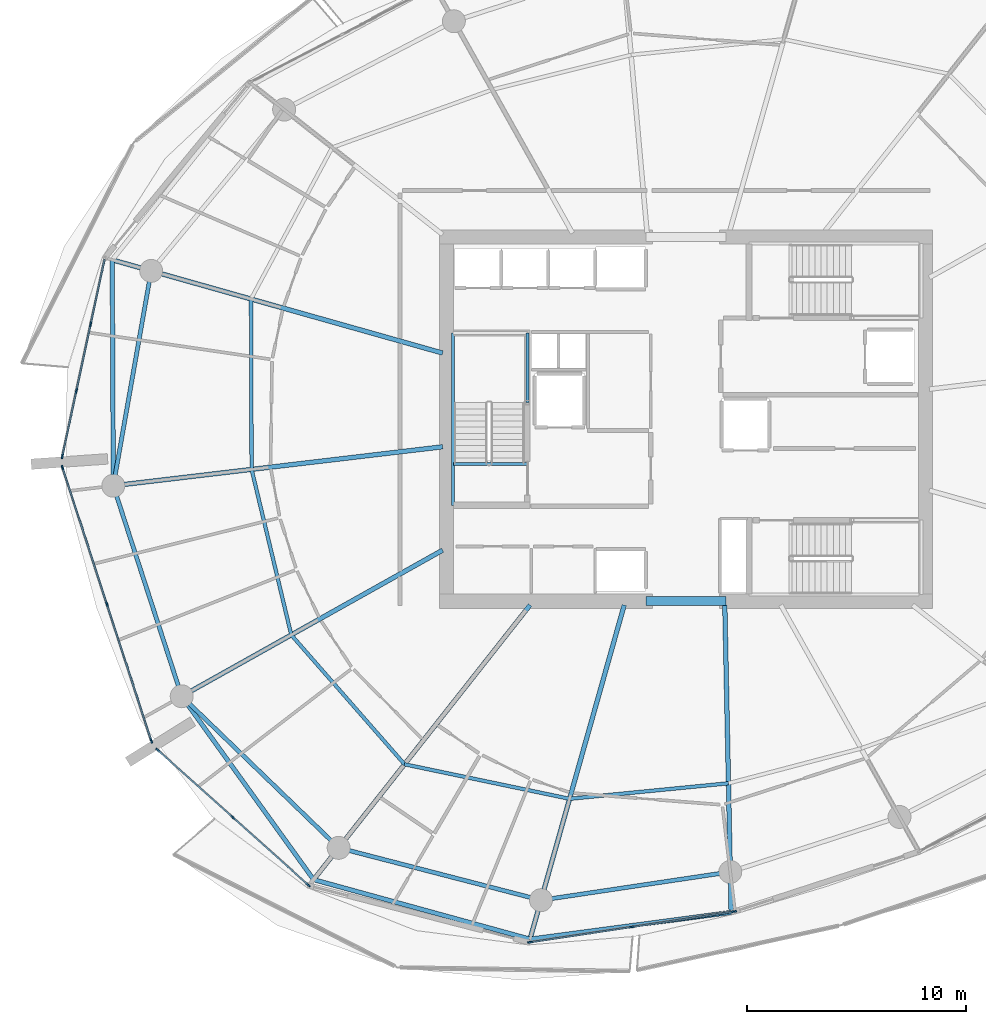
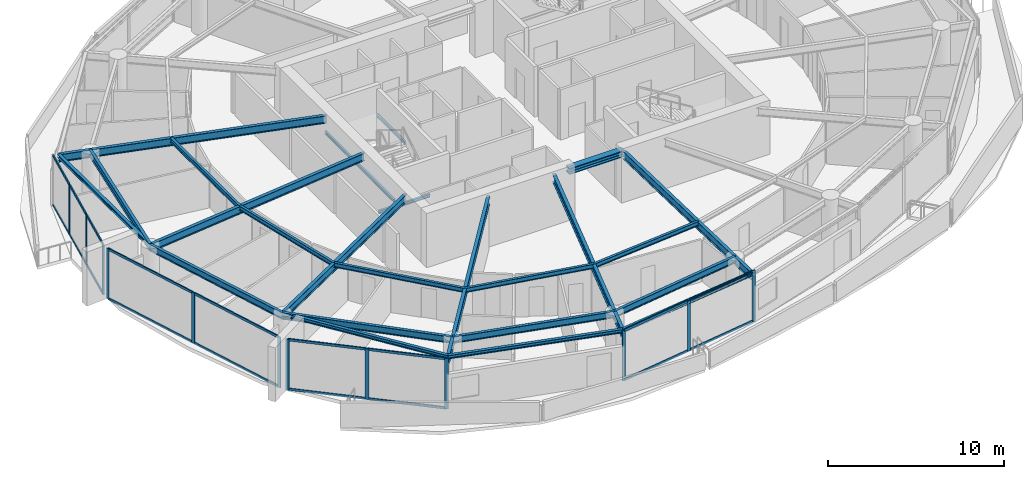
# One storey, part 5 of 20: 30 members, 24 beams, 4 elements without a shape of their own.
"""IFC4 building model written with IfcOpenShell, lengths in metres."""

from ifc_helpers import new_model, si_unit, direction, frame, origin, origin_2d, place, context, subcontext, project, spatial, rectangle, i_section, extrude, material, layer, layer_set, material_profile, profile_set, type_object, element, aggregate, save


model = new_model("IFC4")

# Units and contexts
model_context = context("Model", 3, precision=1e-05, world=origin(), true_north=direction((0.0, 1.0)))
body_context = subcontext(model_context, "Body", "Model", "MODEL_VIEW")
ifc_project = project(units=[si_unit("LENGTHUNIT", "METRE"), si_unit("AREAUNIT", "SQUARE_METRE"), si_unit("VOLUMEUNIT", "CUBIC_METRE"), si_unit("PLANEANGLEUNIT", "RADIAN"), si_unit("MASSUNIT", "GRAM", prefix="KILO")], contexts=[model_context])

# Site, building, storey
site_placement = place(None, origin())
site = spatial("IfcSite", under=ifc_project, at=site_placement, CompositionType="ELEMENT")
building_placement = place(site_placement, origin())
building = spatial("IfcBuilding", under=site, at=building_placement, Name="Kazma Halo Residences", CompositionType="ELEMENT")
storey_placement = place(building_placement, frame((0.0, 0.0, 217.800048828125)))
storey = spatial("IfcBuildingStorey", under=building, at=storey_placement, Name="L55", CompositionType="ELEMENT", Elevation=217.800048828125)

# Beams
ifc_material_1 = material(Name="Steel S355", Category="steel")
ifc_material_profile_1 = material_profile(ifc_material_1, i_section(OverallWidth=0.201904296875, OverallDepth=0.2470703125, WebThickness=0.00732421875, FlangeThickness=0.010986328125, FilletRadius=0.011962890625, at=origin_2d()), Name="W250x49.1")
ifc_profile_set_1 = profile_set([ifc_material_profile_1], Name="Steel S355")
beam_type_1 = type_object("IfcBeamType", Name="BM-BAL-CANT", PredefinedType="BEAM", material=ifc_profile_set_1)
for number, where, z_axis, x_axis, name in (
    (1, (22.19970703125, 49.276611328125, 3.37646484375), (0.004705663334, -0.999988928305, 0.0), (0.999988928305, 0.004705663334, 0.0), "L55 wave-balcony tie beam 07"),
    (2, (25.375, 29.329345703125, 3.37646484375), (0.583963922576, -0.811779611181, 0.0), (0.811779611181, 0.583963922576, 0.0), "L55 wave-balcony lead tie beam 09"),
):
    element("IfcBeam", number, at=place(storey_placement, frame(where, z_axis=z_axis, x_axis=x_axis)), inside=storey, type_object=beam_type_1, Name=name, PredefinedType="BEAM", context=body_context, shape_type="SweptSolid", body=[
        extrude(i_section(OverallWidth=0.201904296875, OverallDepth=0.2470703125, WebThickness=0.00732421875, FlangeThickness=0.010986328125, FilletRadius=0.011962890625, at=origin_2d()), origin(), (0.0, 0.0, 1.0), 10.324462890625),
    ])
beam_1_placement = place(storey_placement, frame((31.404052734375, 20.9482421875, 3.37646484375), z_axis=(0.964197026197, -0.265186905169, 0.0), x_axis=(0.265186905169, 0.964197026197, 0.0)))
element("IfcBeam", 3, at=beam_1_placement, inside=storey, type_object=beam_type_1, Name="L55 wave-balcony tie beam 10", PredefinedType="BEAM", context=body_context, shape_type="SweptSolid", body=[
    extrude(i_section(OverallWidth=0.201904296875, OverallDepth=0.2470703125, WebThickness=0.00732421875, FlangeThickness=0.010986328125, FilletRadius=0.011962890625, at=origin_2d()), origin(), (0.0, 0.0, 1.0), 10.258544921875),
])
beam_2_placement = place(storey_placement, frame((41.29541015625, 18.227783203125, 3.37646484375), z_axis=(0.99126671613, 0.131872277199, 0.0), x_axis=(-0.131872277199, 0.99126671613, 0.0)))
element("IfcBeam", 4, at=beam_2_placement, inside=storey, type_object=beam_type_1, Name="L55 wave-balcony tie beam 11", PredefinedType="BEAM", context=body_context, shape_type="SweptSolid", body=[
    extrude(i_section(OverallWidth=0.201904296875, OverallDepth=0.2470703125, WebThickness=0.00732421875, FlangeThickness=0.010986328125, FilletRadius=0.011962890625, at=origin_2d()), origin(), (0.0, 0.0, 1.0), 9.2734375),
])
ifc_material_profile_2 = material_profile(ifc_material_1, i_section(OverallWidth=0.408935546875, OverallDepth=0.425048828125, WebThickness=0.03271484375, FlangeThickness=0.052490234375, FilletRadius=0.02001953125, at=origin_2d()), Name="W360x421")
ifc_profile_set_2 = profile_set([ifc_material_profile_2], Name="Steel S355")
beam_type_2 = type_object("IfcBeamType", Name="BM-CORE-W360H", PredefinedType="BEAM", material=ifc_profile_set_2)
beam_3_placement = place(storey_placement, frame((46.60009765625, 33.675048828125, 3.287353515625), z_axis=(1.0, 0.0, 0.0), x_axis=(0.0, 1.0, 0.0)))
element("IfcBeam", 5, at=beam_3_placement, inside=storey, type_object=beam_type_2, Name="L55 core coupling beam S", PredefinedType="BEAM", context=body_context, shape_type="SweptSolid", body=[
    extrude(i_section(OverallWidth=0.408935546875, OverallDepth=0.425048828125, WebThickness=0.03271484375, FlangeThickness=0.052490234375, FilletRadius=0.02001953125, at=origin_2d()), origin(), (0.0, 0.0, 1.0), 3.64990234375),
])
ifc_material_profile_3 = material_profile(ifc_material_1, i_section(OverallWidth=0.208984375, OverallDepth=0.532958984375, WebThickness=0.01025390625, FlangeThickness=0.015625, FilletRadius=0.01611328125, at=origin_2d()), Name="W530x92")
ifc_profile_set_3 = profile_set([ifc_material_profile_3], Name="Steel S355")
beam_type_3 = type_object("IfcBeamType", Name="BM-RAD-W530", PredefinedType="BEAM", material=ifc_profile_set_3)
beam_4_placement = place(storey_placement, frame((37.300048828125, 45.017578125, 3.2333984375), z_axis=(-0.962450301448, 0.271457947467, 0.0), x_axis=(-0.271457947467, -0.962450301448, 0.0)))
element("IfcBeam", 6, at=beam_4_placement, inside=storey, type_object=beam_type_3, Name="L55 radial floor beam 07", PredefinedType="BEAM", context=body_context, shape_type="SweptSolid", body=[
    extrude(i_section(OverallWidth=0.208984375, OverallDepth=0.532958984375, WebThickness=0.01025390625, FlangeThickness=0.015625, FilletRadius=0.01611328125, at=origin_2d()), origin(), (0.0, 0.0, 1.0), 15.689453125),
])
beam_5_placement = place(storey_placement, frame((37.300048828125, 40.733642578125, 3.2333984375), z_axis=(-0.993068447674, -0.117537475875, 0.0), x_axis=(0.117537475875, -0.993068447674, 0.0)))
element("IfcBeam", 7, at=beam_5_placement, inside=storey, type_object=beam_type_3, Name="L55 radial floor beam 08", PredefinedType="BEAM", context=body_context, shape_type="SweptSolid", body=[
    extrude(i_section(OverallWidth=0.208984375, OverallDepth=0.532958984375, WebThickness=0.01025390625, FlangeThickness=0.015625, FilletRadius=0.01611328125, at=origin_2d()), origin(), (0.0, 0.0, 1.0), 15.15673828125),
])
beam_6_placement = place(storey_placement, frame((37.300048828125, 36.0078125, 3.2333984375), z_axis=(-0.872492308718, -0.488627845327, 0.0), x_axis=(0.488627845327, -0.872492308718, 0.0)))
element("IfcBeam", 8, at=beam_6_placement, inside=storey, type_object=beam_type_3, Name="L55 radial floor beam 09", PredefinedType="BEAM", context=body_context, shape_type="SweptSolid", body=[
    extrude(i_section(OverallWidth=0.208984375, OverallDepth=0.532958984375, WebThickness=0.01025390625, FlangeThickness=0.015625, FilletRadius=0.01611328125, at=origin_2d()), origin(), (0.0, 0.0, 1.0), 13.667724609375),
])
beam_7_placement = place(storey_placement, frame((41.299072265625, 33.5, 3.2333984375), z_axis=(-0.61909439419, -0.785316580165, 0.0), x_axis=(0.785316580165, -0.61909439419, 0.0)))
element("IfcBeam", 9, at=beam_7_placement, inside=storey, type_object=beam_type_3, Name="L55 radial floor beam 10", PredefinedType="BEAM", context=body_context, shape_type="SweptSolid", body=[
    extrude(i_section(OverallWidth=0.208984375, OverallDepth=0.532958984375, WebThickness=0.01025390625, FlangeThickness=0.015625, FilletRadius=0.01611328125, at=origin_2d()), origin(), (0.0, 0.0, 1.0), 15.983154296875),
])
beam_8_placement = place(storey_placement, frame((45.602783203125, 33.5, 3.2333984375), z_axis=(-0.271449932859, -0.962452561922, 0.0), x_axis=(0.962452561922, -0.271449932859, 0.0)))
element("IfcBeam", 10, at=beam_8_placement, inside=storey, type_object=beam_type_3, Name="L55 radial floor beam 11", PredefinedType="BEAM", context=body_context, shape_type="SweptSolid", body=[
    extrude(i_section(OverallWidth=0.208984375, OverallDepth=0.532958984375, WebThickness=0.01025390625, FlangeThickness=0.015625, FilletRadius=0.01611328125, at=origin_2d()), origin(), (0.0, 0.0, 1.0), 15.867919921875),
])
beam_9_placement = place(storey_placement, frame((50.199951171875, 33.5, 3.2333984375), z_axis=(0.020483658838, -0.99979018785, 0.0), x_axis=(0.99979018785, 0.020483658838, 0.0)))
element("IfcBeam", 11, at=beam_9_placement, inside=storey, type_object=beam_type_3, Name="L55 radial floor beam 12", PredefinedType="BEAM", context=body_context, shape_type="SweptSolid", body=[
    extrude(i_section(OverallWidth=0.208984375, OverallDepth=0.532958984375, WebThickness=0.01025390625, FlangeThickness=0.015625, FilletRadius=0.01611328125, at=origin_2d()), origin(), (0.0, 0.0, 1.0), 14.05224609375),
])
ifc_material_profile_4 = material_profile(ifc_material_1, i_section(OverallWidth=0.1650390625, OverallDepth=0.31005859375, WebThickness=0.005859375, FlangeThickness=0.009765625, FilletRadius=0.011962890625, at=origin_2d()), Name="W310x38.7")
ifc_profile_set_4 = profile_set([ifc_material_profile_4], Name="Steel S355")
beam_type_4 = type_object("IfcBeamType", Name="BM-SEC-W310B", PredefinedType="JOIST", material=ifc_profile_set_4)
beam_10_placement = place(storey_placement, frame((28.5419921875, 47.48779296875, 3.344970703125), z_axis=(0.003605218278, -0.999993501179, 0.0), x_axis=(0.999993501179, 0.003605218278, 0.0)))
element("IfcBeam", 12, at=beam_10_placement, inside=storey, type_object=beam_type_4, Name="L55 circumferential floor joist 07", PredefinedType="JOIST", context=body_context, shape_type="SweptSolid", body=[
    extrude(i_section(OverallWidth=0.1650390625, OverallDepth=0.31005859375, WebThickness=0.005859375, FlangeThickness=0.009765625, FilletRadius=0.011962890625, at=origin_2d()), origin(), (0.0, 0.0, 1.0), 7.78759765625),
])
beam_11_placement = place(storey_placement, frame((28.570068359375, 39.7001953125, 3.344970703125), z_axis=(0.233058429286, -0.972462733753, 0.0), x_axis=(0.972462733753, 0.233058429286, 0.0)))
element("IfcBeam", 13, at=beam_11_placement, inside=storey, type_object=beam_type_4, Name="L55 circumferential floor joist 08", PredefinedType="JOIST", context=body_context, shape_type="SweptSolid", body=[
    extrude(i_section(OverallWidth=0.1650390625, OverallDepth=0.31005859375, WebThickness=0.005859375, FlangeThickness=0.009765625, FilletRadius=0.011962890625, at=origin_2d()), origin(), (0.0, 0.0, 1.0), 7.7802734375),
])
beam_12_placement = place(storey_placement, frame((30.38330078125, 32.13427734375, 3.344970703125), z_axis=(0.658629944618, -0.75246700662, 0.0), x_axis=(0.75246700662, 0.658629944618, 0.0)))
element("IfcBeam", 14, at=beam_12_placement, inside=storey, type_object=beam_type_4, Name="L55 circumferential floor joist 09", PredefinedType="JOIST", context=body_context, shape_type="SweptSolid", body=[
    extrude(i_section(OverallWidth=0.1650390625, OverallDepth=0.31005859375, WebThickness=0.005859375, FlangeThickness=0.009765625, FilletRadius=0.011962890625, at=origin_2d()), origin(), (0.0, 0.0, 1.0), 7.85986328125),
])
beam_13_placement = place(storey_placement, frame((35.56005859375, 26.219970703125, 3.344970703125), z_axis=(0.978821484976, -0.204715657802, 0.0), x_axis=(0.204715657802, 0.978821484976, 0.0)))
element("IfcBeam", 15, at=beam_13_placement, inside=storey, type_object=beam_type_4, Name="L55 circumferential floor joist 10", PredefinedType="JOIST", context=body_context, shape_type="SweptSolid", body=[
    extrude(i_section(OverallWidth=0.1650390625, OverallDepth=0.31005859375, WebThickness=0.005859375, FlangeThickness=0.009765625, FilletRadius=0.011962890625, at=origin_2d()), origin(), (0.0, 0.0, 1.0), 7.707763671875),
])
beam_14_placement = place(storey_placement, frame((43.1044921875, 24.64208984375, 3.344970703125), z_axis=(0.995262165401, 0.097227681872, 0.0), x_axis=(-0.097227681872, 0.995262165401, 0.0)))
element("IfcBeam", 16, at=beam_14_placement, inside=storey, type_object=beam_type_4, Name="L55 circumferential floor joist 11", PredefinedType="JOIST", context=body_context, shape_type="SweptSolid", body=[
    extrude(i_section(OverallWidth=0.1650390625, OverallDepth=0.31005859375, WebThickness=0.005859375, FlangeThickness=0.009765625, FilletRadius=0.011962890625, at=origin_2d()), origin(), (0.0, 0.0, 1.0), 7.297119140625),
])
ifc_material_profile_5 = material_profile(ifc_material_1, i_section(OverallWidth=0.18994140625, OverallDepth=0.45703125, WebThickness=0.009033203125, FlangeThickness=0.014404296875, FilletRadius=0.01611328125, at=origin_2d()), Name="W460x74")
ifc_profile_set_5 = profile_set([ifc_material_profile_5], Name="Steel S355")
beam_type_5 = type_object("IfcBeamType", Name="BM-SPN-W460", PredefinedType="BEAM", material=ifc_profile_set_5)
beam_15_placement = place(storey_placement, frame((23.980224609375, 48.7744140625, 3.271484375), z_axis=(-0.173648484202, -0.984807698962, 0.0), x_axis=(0.984807698962, -0.173648484202, 0.0)))
element("IfcBeam", 17, at=beam_15_placement, inside=storey, type_object=beam_type_5, Name="L55 perimeter ring beam 07", PredefinedType="BEAM", context=body_context, shape_type="SweptSolid", body=[
    extrude(i_section(OverallWidth=0.18994140625, OverallDepth=0.45703125, WebThickness=0.009033203125, FlangeThickness=0.014404296875, FilletRadius=0.01611328125, at=origin_2d()), origin(), (0.0, 0.0, 1.0), 9.973876953125),
])
beam_16_placement = place(storey_placement, frame((22.248291015625, 38.9521484375, 3.271484375), z_axis=(0.309023327426, -0.951054458539, 0.0), x_axis=(0.951054458539, 0.309023327426, 0.0)))
element("IfcBeam", 18, at=beam_16_placement, inside=storey, type_object=beam_type_5, Name="L55 perimeter ring beam 08", PredefinedType="BEAM", context=body_context, shape_type="SweptSolid", body=[
    extrude(i_section(OverallWidth=0.18994140625, OverallDepth=0.45703125, WebThickness=0.009033203125, FlangeThickness=0.014404296875, FilletRadius=0.01611328125, at=origin_2d()), origin(), (0.0, 0.0, 1.0), 10.117919921875),
])
beam_17_placement = place(storey_placement, frame((25.375, 29.329345703125, 3.271484375), z_axis=(0.71933650181, -0.694661786169, 0.0), x_axis=(0.694661786169, 0.71933650181, 0.0)))
element("IfcBeam", 19, at=beam_17_placement, inside=storey, type_object=beam_type_5, Name="L55 perimeter ring beam 09", PredefinedType="BEAM", context=body_context, shape_type="SweptSolid", body=[
    extrude(i_section(OverallWidth=0.18994140625, OverallDepth=0.45703125, WebThickness=0.009033203125, FlangeThickness=0.014404296875, FilletRadius=0.01611328125, at=origin_2d()), origin(), (0.0, 0.0, 1.0), 9.9736328125),
])
beam_18_placement = place(storey_placement, frame((32.54931640625, 22.401123046875, 3.271484375), z_axis=(0.968120950739, -0.25048318255, 0.0), x_axis=(0.25048318255, 0.968120950739, 0.0)))
element("IfcBeam", 20, at=beam_18_placement, inside=storey, type_object=beam_type_5, Name="L55 perimeter ring beam 10", PredefinedType="BEAM", context=body_context, shape_type="SweptSolid", body=[
    extrude(i_section(OverallWidth=0.18994140625, OverallDepth=0.45703125, WebThickness=0.009033203125, FlangeThickness=0.014404296875, FilletRadius=0.01611328125, at=origin_2d()), origin(), (0.0, 0.0, 1.0), 9.552734375),
])
beam_19_placement = place(storey_placement, frame((41.797607421875, 20.00830078125, 3.271484375), z_axis=(0.98903439143, 0.147685383732, 0.0), x_axis=(-0.147685383732, 0.98903439143, 0.0)))
element("IfcBeam", 21, at=beam_19_placement, inside=storey, type_object=beam_type_5, Name="L55 perimeter ring beam 11", PredefinedType="BEAM", context=body_context, shape_type="SweptSolid", body=[
    extrude(i_section(OverallWidth=0.18994140625, OverallDepth=0.45703125, WebThickness=0.009033203125, FlangeThickness=0.014404296875, FilletRadius=0.01611328125, at=origin_2d()), origin(), (0.0, 0.0, 1.0), 8.748291015625),
])
ifc_material_profile_6 = material_profile(ifc_material_1, i_section(OverallWidth=0.133056640625, OverallDepth=0.20703125, WebThickness=0.005859375, FlangeThickness=0.00830078125, FilletRadius=0.010009765625, at=origin_2d()), Name="W200x26.6")
ifc_profile_set_6 = profile_set([ifc_material_profile_6], Name="Steel S355")
beam_type_6 = type_object("IfcBeamType", Name="BM-TRIM-W200", PredefinedType="BEAM", material=ifc_profile_set_6)
beam_20_placement = place(storey_placement, frame((37.800048828125, 39.949951171875, -0.360107421875), z_axis=(1.0, 0.0, 0.0), x_axis=(0.0, 1.0, 0.0)))
element("IfcBeam", 22, at=beam_20_placement, inside=storey, type_object=beam_type_6, Name="L55 ST-01 floor landing support beam", PredefinedType="BEAM", context=body_context, shape_type="SweptSolid", body=[
    extrude(i_section(OverallWidth=0.133056640625, OverallDepth=0.20703125, WebThickness=0.005859375, FlangeThickness=0.00830078125, FilletRadius=0.010009765625, at=origin_2d()), origin(), (0.0, 0.0, 1.0), 3.3798828125),
])
beam_21_placement = place(storey_placement, frame((37.780029296875, 38.06005859375, 1.570068359375), z_axis=(0.0, 1.0, 0.0), x_axis=(-1.0, 0.0, 0.0)))
element("IfcBeam", 23, at=beam_21_placement, inside=storey, type_object=beam_type_6, Name="L55 ST-01 landing west wall ledger", PredefinedType="BEAM", context=body_context, shape_type="SweptSolid", body=[
    extrude(i_section(OverallWidth=0.133056640625, OverallDepth=0.20703125, WebThickness=0.005859375, FlangeThickness=0.00830078125, FilletRadius=0.010009765625, at=origin_2d()), origin(), (0.0, 0.0, 1.0), 7.8798828125),
])
beam_22_placement = place(storey_placement, frame((41.179931640625, 42.75, 1.570068359375), z_axis=(0.0, 1.0, 0.0), x_axis=(-1.0, 0.0, 0.0)))
element("IfcBeam", 24, at=beam_22_placement, inside=storey, type_object=beam_type_6, Name="L55 ST-01 landing east wall ledger", PredefinedType="BEAM", context=body_context, shape_type="SweptSolid", body=[
    extrude(i_section(OverallWidth=0.133056640625, OverallDepth=0.20703125, WebThickness=0.005859375, FlangeThickness=0.00830078125, FilletRadius=0.010009765625, at=origin_2d()), origin(), (0.0, 0.0, 1.0), 3.18994140625),
])

# Curtain wall, members
ifc_material_2 = material(Name="Aluminium AW-6063 T6 and Triple-Silver Low-E Glass", Category="aluminium")
ifc_layer = layer(ifc_material_2, 0.219970703125)
ifc_layer_set = layer_set([ifc_layer], Name="Aluminium AW-6063 T6 and Triple-Silver Low-E Glass")
curtain_wall_type = type_object("IfcCurtainWallType", Name="CW-SYS-4", PredefinedType="NOTDEFINED", material=ifc_layer_set)
curtain_wall_1_placement = place(storey_placement, origin())
curtain_wall_1 = element("IfcCurtainWall", 25, at=curtain_wall_1_placement, inside=storey, type_object=curtain_wall_type, Name="L55 unitised curtain wall B07", PredefinedType="NOTDEFINED")
ifc_material_3 = material(Name="Aluminium AW-6063 T6", Category="aluminium")
ifc_material_profile_7 = material_profile(ifc_material_3, rectangle(XDim=0.074951171875, YDim=0.219970703125, at=origin_2d()), Name="CWM-75x220")
ifc_profile_set_7 = profile_set([ifc_material_profile_7], Name="Aluminium AW-6063 T6")
member_type_1 = type_object("IfcMemberType", Name="CW-SYS-4-MUL", PredefinedType="MULLION", material=ifc_profile_set_7)
member_1_placement = place(storey_placement, frame((21.212890625, 46.3330078125, 0.0), z_axis=(0.0, 0.0, 1.0), x_axis=(0.977768017212, -0.209689543175, 0.0)))
member_1 = element("IfcMember", 26, at=member_1_placement, type_object=member_type_1, Name="CWS-4 mullion 2", PredefinedType="MULLION", context=body_context, shape_type="SweptSolid", body=[
    extrude(rectangle(XDim=0.074951171875, YDim=0.219970703125, at=origin_2d()), origin(), (0.0, 0.0, 1.0), 3.5),
])
member_2_placement = place(storey_placement, frame((20.561279296875, 43.295166015625, 0.0), z_axis=(0.0, 0.0, 1.0), x_axis=(0.977768017212, -0.209689543175, 0.0)))
member_2 = element("IfcMember", 27, at=member_2_placement, type_object=member_type_1, Name="CWS-4 mullion 3", PredefinedType="MULLION", context=body_context, shape_type="SweptSolid", body=[
    extrude(rectangle(XDim=0.074951171875, YDim=0.219970703125, at=origin_2d()), origin(), (0.0, 0.0, 1.0), 3.5),
])
member_3_placement = place(storey_placement, frame((19.917724609375, 40.2939453125, 0.0), z_axis=(0.0, 0.0, 1.0), x_axis=(0.977768017212, -0.209689543175, 0.0)))
member_3 = element("IfcMember", 28, at=member_3_placement, type_object=member_type_1, Name="CWS-4 mullion 4", PredefinedType="MULLION", context=body_context, shape_type="SweptSolid", body=[
    extrude(rectangle(XDim=0.074951171875, YDim=0.219970703125, at=origin_2d()), origin(), (0.0, 0.0, 1.0), 3.5),
])

curtain_wall_2_placement = place(storey_placement, origin())
curtain_wall_2 = element("IfcCurtainWall", 29, at=curtain_wall_2_placement, inside=storey, type_object=curtain_wall_type, Name="L55 unitised curtain wall B08", PredefinedType="NOTDEFINED")
member_4_placement = place(storey_placement, frame((19.9287109375, 39.77880859375, 0.0), z_axis=(0.0, 0.0, 1.0), x_axis=(0.951056893636, 0.309015833038, 0.0)))
member_4 = element("IfcMember", 30, at=member_4_placement, type_object=member_type_1, Name="CWS-4 mullion 1", PredefinedType="MULLION", context=body_context, shape_type="SweptSolid", body=[
    extrude(rectangle(XDim=0.074951171875, YDim=0.219970703125, at=origin_2d()), origin(), (0.0, 0.0, 1.0), 3.5),
])
member_5_placement = place(storey_placement, frame((21.95654296875, 33.5380859375, 0.0), z_axis=(0.0, 0.0, 1.0), x_axis=(0.951056893636, 0.309015833038, 0.0)))
member_5 = element("IfcMember", 31, at=member_5_placement, type_object=member_type_1, Name="CWS-4 mullion 2", PredefinedType="MULLION", context=body_context, shape_type="SweptSolid", body=[
    extrude(rectangle(XDim=0.074951171875, YDim=0.219970703125, at=origin_2d()), origin(), (0.0, 0.0, 1.0), 3.5),
])
member_6_placement = place(storey_placement, frame((23.984375, 27.297119140625, 0.0), z_axis=(0.0, 0.0, 1.0), x_axis=(0.951056893636, 0.309015833038, 0.0)))
member_6 = element("IfcMember", 32, at=member_6_placement, type_object=member_type_1, Name="CWS-4 mullion 3", PredefinedType="MULLION", context=body_context, shape_type="SweptSolid", body=[
    extrude(rectangle(XDim=0.074951171875, YDim=0.219970703125, at=origin_2d()), origin(), (0.0, 0.0, 1.0), 3.5),
])

curtain_wall_3_placement = place(storey_placement, origin())
curtain_wall_3 = element("IfcCurtainWall", 33, at=curtain_wall_3_placement, inside=storey, type_object=curtain_wall_type, Name="L55 unitised curtain wall B09", PredefinedType="NOTDEFINED")
member_7_placement = place(storey_placement, frame((24.2783203125, 26.873779296875, 0.0), z_axis=(0.0, 0.0, 1.0), x_axis=(0.667784328806, 0.744354814723, 0.0)))
member_7 = element("IfcMember", 34, at=member_7_placement, type_object=member_type_1, Name="CWS-4 mullion 1", PredefinedType="MULLION", context=body_context, shape_type="SweptSolid", body=[
    extrude(rectangle(XDim=0.074951171875, YDim=0.219970703125, at=origin_2d()), origin(), (0.0, 0.0, 1.0), 3.5),
])
member_8_placement = place(storey_placement, frame((27.719482421875, 23.786865234375, 0.0), z_axis=(0.0, 0.0, 1.0), x_axis=(0.667784328806, 0.744354814723, 0.0)))
member_8 = element("IfcMember", 35, at=member_8_placement, type_object=member_type_1, Name="CWS-4 mullion 2", PredefinedType="MULLION", context=body_context, shape_type="SweptSolid", body=[
    extrude(rectangle(XDim=0.074951171875, YDim=0.219970703125, at=origin_2d()), origin(), (0.0, 0.0, 1.0), 3.5),
])
member_9_placement = place(storey_placement, frame((31.160400390625, 20.69970703125, 0.0), z_axis=(0.0, 0.0, 1.0), x_axis=(0.667784328806, 0.744354814723, 0.0)))
member_9 = element("IfcMember", 36, at=member_9_placement, type_object=member_type_1, Name="CWS-4 mullion 3", PredefinedType="MULLION", context=body_context, shape_type="SweptSolid", body=[
    extrude(rectangle(XDim=0.074951171875, YDim=0.219970703125, at=origin_2d()), origin(), (0.0, 0.0, 1.0), 3.5),
])

curtain_wall_4_placement = place(storey_placement, origin())
curtain_wall_4 = element("IfcCurtainWall", 37, at=curtain_wall_4_placement, inside=storey, type_object=curtain_wall_type, Name="L55 unitised curtain wall B11", PredefinedType="NOTDEFINED")
member_10_placement = place(storey_placement, frame((41.291259765625, 18.086669921875, 0.0), z_axis=(0.0, 0.0, 1.0), x_axis=(-0.148772639188, 0.988871428361, 0.0)))
member_10 = element("IfcMember", 38, at=member_10_placement, type_object=member_type_1, Name="CWS-4 mullion 1", PredefinedType="MULLION", context=body_context, shape_type="SweptSolid", body=[
    extrude(rectangle(XDim=0.074951171875, YDim=0.219970703125, at=origin_2d()), origin(), (0.0, 0.0, 1.0), 3.5),
])
member_11_placement = place(storey_placement, frame((45.958740234375, 18.788818359375, 0.0), z_axis=(0.0, 0.0, 1.0), x_axis=(-0.148772639188, 0.988871428361, 0.0)))
member_11 = element("IfcMember", 39, at=member_11_placement, type_object=member_type_1, Name="CWS-4 mullion 2", PredefinedType="MULLION", context=body_context, shape_type="SweptSolid", body=[
    extrude(rectangle(XDim=0.074951171875, YDim=0.219970703125, at=origin_2d()), origin(), (0.0, 0.0, 1.0), 3.5),
])
member_12_placement = place(storey_placement, frame((50.626220703125, 19.490966796875, 0.0), z_axis=(0.0, 0.0, 1.0), x_axis=(-0.148772639188, 0.988871428361, 0.0)))
member_12 = element("IfcMember", 40, at=member_12_placement, type_object=member_type_1, Name="CWS-4 mullion 3", PredefinedType="MULLION", context=body_context, shape_type="SweptSolid", body=[
    extrude(rectangle(XDim=0.074951171875, YDim=0.219970703125, at=origin_2d()), origin(), (0.0, 0.0, 1.0), 3.5),
])

# Member
ifc_material_profile_8 = material_profile(ifc_material_3, rectangle(XDim=0.074951171875, YDim=0.1650390625, at=origin_2d()), Name="CWT-75x165")
ifc_profile_set_8 = profile_set([ifc_material_profile_8], Name="Aluminium AW-6063 T6")
member_type_2 = type_object("IfcMemberType", Name="CW-SYS-4-TRN", PredefinedType="USERDEFINED", material=ifc_profile_set_8)
member_13_placement = place(storey_placement, frame((21.8486328125, 49.297607421875, 0.037353515625), z_axis=(-0.209707268418, -0.977764215735, 0.0), x_axis=(0.977764215735, -0.209707268418, 0.0)))
member_13 = element("IfcMember", 41, at=member_13_placement, type_object=member_type_2, Name="CWS-4 transom 1.1", ObjectType="TRANSOM", PredefinedType="USERDEFINED", context=body_context, shape_type="SweptSolid", body=[
    extrude(rectangle(XDim=0.074951171875, YDim=0.1650390625, at=origin_2d()), origin(), (0.0, 0.0, 1.0), 2.994384765625),
])

member_14_placement = place(storey_placement, frame((21.8486328125, 49.297607421875, 3.46240234375), z_axis=(-0.209707268418, -0.977764215735, 0.0), x_axis=(0.977764215735, -0.209707268418, 0.0)))
member_14 = element("IfcMember", 42, at=member_14_placement, type_object=member_type_2, Name="CWS-4 transom 1.2", ObjectType="TRANSOM", PredefinedType="USERDEFINED", context=body_context, shape_type="SweptSolid", body=[
    extrude(rectangle(XDim=0.074951171875, YDim=0.1650390625, at=origin_2d()), origin(), (0.0, 0.0, 1.0), 2.994384765625),
])

member_15_placement = place(storey_placement, frame((21.205078125, 46.29638671875, 0.037353515625), z_axis=(-0.209677559804, -0.977770587057, 0.0), x_axis=(0.977770587057, -0.209677559804, 0.0)))
member_15 = element("IfcMember", 43, at=member_15_placement, type_object=member_type_2, Name="CWS-4 transom 2.1", ObjectType="TRANSOM", PredefinedType="USERDEFINED", context=body_context, shape_type="SweptSolid", body=[
    extrude(rectangle(XDim=0.074951171875, YDim=0.1650390625, at=origin_2d()), origin(), (0.0, 0.0, 1.0), 3.031982421875),
])

member_16_placement = place(storey_placement, frame((21.205078125, 46.29638671875, 3.46240234375), z_axis=(-0.209677559804, -0.977770587057, 0.0), x_axis=(0.977770587057, -0.209677559804, 0.0)))
member_16 = element("IfcMember", 44, at=member_16_placement, type_object=member_type_2, Name="CWS-4 transom 2.2", ObjectType="TRANSOM", PredefinedType="USERDEFINED", context=body_context, shape_type="SweptSolid", body=[
    extrude(rectangle(XDim=0.074951171875, YDim=0.1650390625, at=origin_2d()), origin(), (0.0, 0.0, 1.0), 3.031982421875),
])

member_17_placement = place(storey_placement, frame((20.553466796875, 43.258544921875, 0.037353515625), z_axis=(-0.209690551496, -0.97776780097, 0.0), x_axis=(0.97776780097, -0.209690551496, 0.0)))
member_17 = element("IfcMember", 45, at=member_17_placement, type_object=member_type_2, Name="CWS-4 transom 3.1", ObjectType="TRANSOM", PredefinedType="USERDEFINED", context=body_context, shape_type="SweptSolid", body=[
    extrude(rectangle(XDim=0.074951171875, YDim=0.1650390625, at=origin_2d()), origin(), (0.0, 0.0, 1.0), 2.99462890625),
])

member_18_placement = place(storey_placement, frame((20.553466796875, 43.258544921875, 3.46240234375), z_axis=(-0.209690551496, -0.97776780097, 0.0), x_axis=(0.97776780097, -0.209690551496, 0.0)))
member_18 = element("IfcMember", 46, at=member_18_placement, type_object=member_type_2, Name="CWS-4 transom 3.2", ObjectType="TRANSOM", PredefinedType="USERDEFINED", context=body_context, shape_type="SweptSolid", body=[
    extrude(rectangle(XDim=0.074951171875, YDim=0.1650390625, at=origin_2d()), origin(), (0.0, 0.0, 1.0), 2.99462890625),
])

aggregate(curtain_wall_1, [member_1, member_2, member_3, member_13, member_14, member_15, member_16, member_17, member_18])

member_19_placement = place(storey_placement, frame((19.9404296875, 39.7431640625, 0.037353515625), z_axis=(0.30902650142, -0.951053427217, 0.0), x_axis=(0.951053427217, 0.30902650142, 0.0)))
member_19 = element("IfcMember", 47, at=member_19_placement, type_object=member_type_2, Name="CWS-4 transom 1.1", ObjectType="TRANSOM", PredefinedType="USERDEFINED", context=body_context, shape_type="SweptSolid", body=[
    extrude(rectangle(XDim=0.074951171875, YDim=0.1650390625, at=origin_2d()), origin(), (0.0, 0.0, 1.0), 6.487060546875),
])

member_20_placement = place(storey_placement, frame((19.9404296875, 39.7431640625, 3.46240234375), z_axis=(0.30902650142, -0.951053427217, 0.0), x_axis=(0.951053427217, 0.30902650142, 0.0)))
member_20 = element("IfcMember", 48, at=member_20_placement, type_object=member_type_2, Name="CWS-4 transom 1.2", ObjectType="TRANSOM", PredefinedType="USERDEFINED", context=body_context, shape_type="SweptSolid", body=[
    extrude(rectangle(XDim=0.074951171875, YDim=0.1650390625, at=origin_2d()), origin(), (0.0, 0.0, 1.0), 6.487060546875),
])

member_21_placement = place(storey_placement, frame((21.968017578125, 33.50244140625, 0.037353515625), z_axis=(0.309015440644, -0.951057021132, 0.0), x_axis=(0.951057021132, 0.309015440644, 0.0)))
member_21 = element("IfcMember", 49, at=member_21_placement, type_object=member_type_2, Name="CWS-4 transom 2.1", ObjectType="TRANSOM", PredefinedType="USERDEFINED", context=body_context, shape_type="SweptSolid", body=[
    extrude(rectangle(XDim=0.074951171875, YDim=0.1650390625, at=origin_2d()), origin(), (0.0, 0.0, 1.0), 6.487060546875),
])

member_22_placement = place(storey_placement, frame((21.968017578125, 33.50244140625, 3.46240234375), z_axis=(0.309015440644, -0.951057021132, 0.0), x_axis=(0.951057021132, 0.309015440644, 0.0)))
member_22 = element("IfcMember", 50, at=member_22_placement, type_object=member_type_2, Name="CWS-4 transom 2.2", ObjectType="TRANSOM", PredefinedType="USERDEFINED", context=body_context, shape_type="SweptSolid", body=[
    extrude(rectangle(XDim=0.074951171875, YDim=0.1650390625, at=origin_2d()), origin(), (0.0, 0.0, 1.0), 6.487060546875),
])

aggregate(curtain_wall_2, [member_4, member_5, member_6, member_19, member_20, member_21, member_22])

member_23_placement = place(storey_placement, frame((24.30615234375, 26.848876953125, 0.037353515625), z_axis=(0.744344906673, -0.667795372783, 0.0), x_axis=(0.667795372783, 0.744344906673, 0.0)))
member_23 = element("IfcMember", 51, at=member_23_placement, type_object=member_type_2, Name="CWS-4 transom 1.1", ObjectType="TRANSOM", PredefinedType="USERDEFINED", context=body_context, shape_type="SweptSolid", body=[
    extrude(rectangle(XDim=0.074951171875, YDim=0.1650390625, at=origin_2d()), origin(), (0.0, 0.0, 1.0), 4.5478515625),
])

member_24_placement = place(storey_placement, frame((24.30615234375, 26.848876953125, 3.46240234375), z_axis=(0.744344906673, -0.667795372783, 0.0), x_axis=(0.667795372783, 0.744344906673, 0.0)))
member_24 = element("IfcMember", 52, at=member_24_placement, type_object=member_type_2, Name="CWS-4 transom 1.2", ObjectType="TRANSOM", PredefinedType="USERDEFINED", context=body_context, shape_type="SweptSolid", body=[
    extrude(rectangle(XDim=0.074951171875, YDim=0.1650390625, at=origin_2d()), origin(), (0.0, 0.0, 1.0), 4.5478515625),
])

member_25_placement = place(storey_placement, frame((27.747314453125, 23.76171875, 0.037353515625), z_axis=(0.744344906673, -0.667795372783, 0.0), x_axis=(0.667795372783, 0.744344906673, 0.0)))
member_25 = element("IfcMember", 53, at=member_25_placement, type_object=member_type_2, Name="CWS-4 transom 2.1", ObjectType="TRANSOM", PredefinedType="USERDEFINED", context=body_context, shape_type="SweptSolid", body=[
    extrude(rectangle(XDim=0.074951171875, YDim=0.1650390625, at=origin_2d()), origin(), (0.0, 0.0, 1.0), 4.5478515625),
])

member_26_placement = place(storey_placement, frame((27.747314453125, 23.76171875, 3.46240234375), z_axis=(0.744344906673, -0.667795372783, 0.0), x_axis=(0.667795372783, 0.744344906673, 0.0)))
member_26 = element("IfcMember", 54, at=member_26_placement, type_object=member_type_2, Name="CWS-4 transom 2.2", ObjectType="TRANSOM", PredefinedType="USERDEFINED", context=body_context, shape_type="SweptSolid", body=[
    extrude(rectangle(XDim=0.074951171875, YDim=0.1650390625, at=origin_2d()), origin(), (0.0, 0.0, 1.0), 4.5478515625),
])

aggregate(curtain_wall_3, [member_7, member_8, member_9, member_23, member_24, member_25, member_26])

member_27_placement = place(storey_placement, frame((41.328369140625, 18.092041015625, 0.037353515625), z_axis=(0.988867623216, 0.148797929272, 0.0), x_axis=(-0.148797929272, 0.988867623216, 0.0)))
member_27 = element("IfcMember", 55, at=member_27_placement, type_object=member_type_2, Name="CWS-4 transom 1.1", ObjectType="TRANSOM", PredefinedType="USERDEFINED", context=body_context, shape_type="SweptSolid", body=[
    extrude(rectangle(XDim=0.074951171875, YDim=0.1650390625, at=origin_2d()), origin(), (0.0, 0.0, 1.0), 4.64501953125),
])

member_28_placement = place(storey_placement, frame((41.328369140625, 18.092041015625, 3.46240234375), z_axis=(0.988867623216, 0.148797929272, 0.0), x_axis=(-0.148797929272, 0.988867623216, 0.0)))
member_28 = element("IfcMember", 56, at=member_28_placement, type_object=member_type_2, Name="CWS-4 transom 1.2", ObjectType="TRANSOM", PredefinedType="USERDEFINED", context=body_context, shape_type="SweptSolid", body=[
    extrude(rectangle(XDim=0.074951171875, YDim=0.1650390625, at=origin_2d()), origin(), (0.0, 0.0, 1.0), 4.64501953125),
])

member_29_placement = place(storey_placement, frame((45.995849609375, 18.79443359375, 0.037353515625), z_axis=(0.988876518566, 0.148738801357, 0.0), x_axis=(-0.148738801357, 0.988876518566, 0.0)))
member_29 = element("IfcMember", 57, at=member_29_placement, type_object=member_type_2, Name="CWS-4 transom 2.1", ObjectType="TRANSOM", PredefinedType="USERDEFINED", context=body_context, shape_type="SweptSolid", body=[
    extrude(rectangle(XDim=0.074951171875, YDim=0.1650390625, at=origin_2d()), origin(), (0.0, 0.0, 1.0), 4.645263671875),
])

member_30_placement = place(storey_placement, frame((45.995849609375, 18.79443359375, 3.46240234375), z_axis=(0.988876518566, 0.148738801357, 0.0), x_axis=(-0.148738801357, 0.988876518566, 0.0)))
member_30 = element("IfcMember", 58, at=member_30_placement, type_object=member_type_2, Name="CWS-4 transom 2.2", ObjectType="TRANSOM", PredefinedType="USERDEFINED", context=body_context, shape_type="SweptSolid", body=[
    extrude(rectangle(XDim=0.074951171875, YDim=0.1650390625, at=origin_2d()), origin(), (0.0, 0.0, 1.0), 4.645263671875),
])

aggregate(curtain_wall_4, [member_10, member_11, member_12, member_27, member_28, member_29, member_30])

save(model, "model.ifc")
